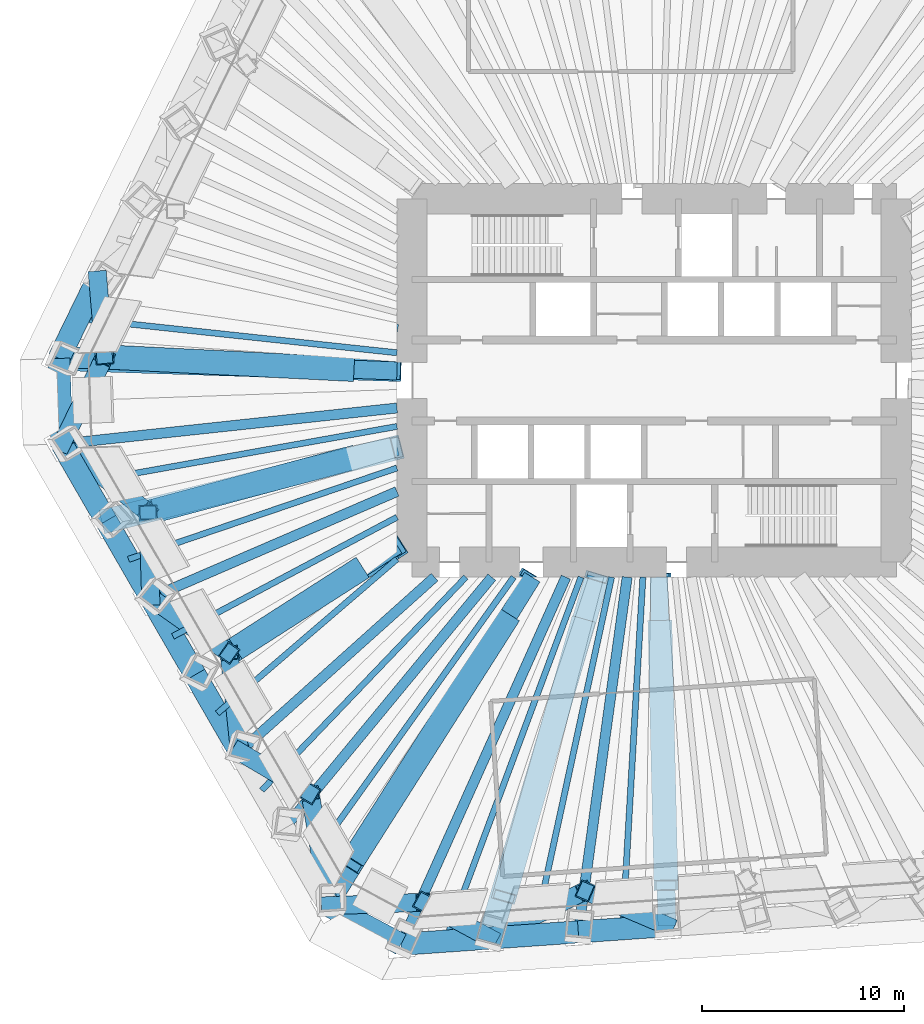
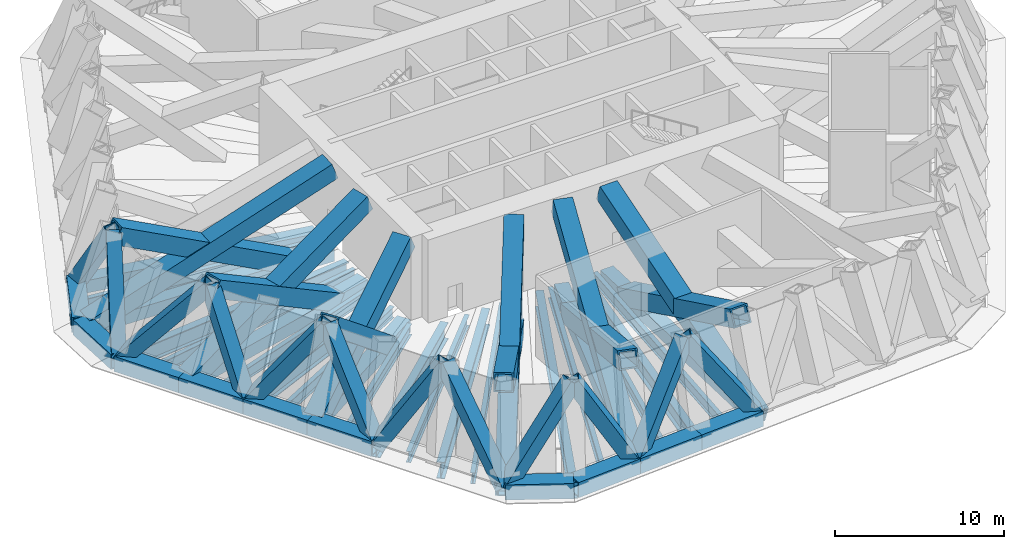
# One storey, part 2 of 12: 34 members, 23 beams.
"""IFC4 building model written with IfcOpenShell, lengths in metres."""

from ifc_helpers import new_model, si_unit, direction, frame, origin, origin_2d, place, context, subcontext, project, spatial, hollow_rectangle, i_section, extrude, material, material_profile, profile_set, type_object, element, save


model = new_model("IFC4")

# Units and contexts
model_context = context("Model", 3, precision=1e-05, world=origin(), true_north=direction((0.0, 1.0)))
body_context = subcontext(model_context, "Body", "Model", "MODEL_VIEW")
ifc_project = project(units=[si_unit("LENGTHUNIT", "METRE"), si_unit("AREAUNIT", "SQUARE_METRE"), si_unit("VOLUMEUNIT", "CUBIC_METRE"), si_unit("PLANEANGLEUNIT", "RADIAN"), si_unit("MASSUNIT", "GRAM", prefix="KILO")], contexts=[model_context])

# Site, building, storey
site_placement = place(None, origin())
site = spatial("IfcSite", under=ifc_project, at=site_placement, CompositionType="ELEMENT")
building_placement = place(site_placement, origin())
building = spatial("IfcBuilding", under=site, at=building_placement, Name="Qingtian Harvest Tower", CompositionType="ELEMENT")
storey_placement = place(building_placement, frame((0.0, 0.0, 97.0)))
storey = spatial("IfcBuildingStorey", under=building, at=storey_placement, Name="L19", CompositionType="ELEMENT", Elevation=97.0)

# Members
ifc_material_1 = material(Name="Steel SM570MC", Category="steel")
ifc_material_profile_1 = material_profile(ifc_material_1, hollow_rectangle(XDim=1.10009765625, YDim=1.10009765625, WallThickness=0.080078125, at=origin_2d()), Name="BOX1100x1100x80")
ifc_profile_set_1 = profile_set([ifc_material_profile_1], Name="Steel SM570MC")
member_type_1 = type_object("IfcMemberType", Name="Belt truss chord BC1 BOX1100x1100x80", PredefinedType="CHORD", material=ifc_profile_set_1)
member_1_placement = place(storey_placement, frame((0.62890625, -27.02197265625, -0.550048828125), z_axis=(-0.997566143208, -0.069726536735, 0.0), x_axis=(0.069726536735, -0.997566143208, 0.0)))
element("IfcMember", 1, at=member_1_placement, inside=storey, type_object=member_type_1, Name="Belt chord BC1 S3", PredefinedType="CHORD", context=body_context, shape_type="SweptSolid", body=[
    extrude(hollow_rectangle(XDim=1.10009765625, YDim=1.10009765625, WallThickness=0.080078125, at=origin_2d()), origin(), (0.0, 0.0, 1.0), 4.40478515625),
])
for number, where, z_axis, x_axis, name in (
    (2, (-3.76513671875, -27.3291015625, -0.550048828125), (-0.997562016486, -0.069785551967, 0.0), (0.069785551967, -0.997562016486, 0.0), "Belt chord BC1 S4"),
    (3, (-8.158935546875, -27.636474609375, -0.550048828125), (-0.997565873714, -0.069730392239, 0.0), (0.069730392239, -0.997565873714, 0.0), "Belt chord BC1 S5"),
):
    element("IfcMember", number, at=place(storey_placement, frame(where, z_axis=z_axis, x_axis=x_axis)), inside=storey, type_object=member_type_1, Name=name, PredefinedType="CHORD", context=body_context, shape_type="SweptSolid", body=[
        extrude(hollow_rectangle(XDim=1.10009765625, YDim=1.10009765625, WallThickness=0.080078125, at=origin_2d()), origin(), (0.0, 0.0, 1.0), 4.404541015625),
    ])
member_2_placement = place(storey_placement, frame((-12.552734375, -27.943603515625, -0.550048828125), z_axis=(-0.882968133669, 0.469432929101, 0.0), x_axis=(-0.469432929101, -0.882968133669, 0.0)))
element("IfcMember", 4, at=member_2_placement, inside=storey, type_object=member_type_1, Name="Belt chord BC1 SC", PredefinedType="CHORD", context=body_context, shape_type="SweptSolid", body=[
    extrude(hollow_rectangle(XDim=1.10009765625, YDim=1.10009765625, WallThickness=0.080078125, at=origin_2d()), origin(), (0.0, 0.0, 1.0), 4.070556640625),
])
for number, where, z_axis, x_axis, name in (
    (5, (-20.551513671875, -18.403564453125, -0.550048828125), (-0.50001992892, 0.866013897511, 0.0), (-0.866013897511, -0.50001992892, 0.0), "Belt chord BC1 SW2"),
    (6, (-22.75390625, -14.589111328125, -0.550048828125), (-0.499978356969, 0.866037899034, 0.0), (-0.866037899034, -0.499978356969, 0.0), "Belt chord BC1 SW3"),
    (7, (-24.9560546875, -10.774658203125, -0.550048828125), (-0.50001992892, 0.866013897511, 0.0), (-0.866013897511, -0.50001992892, 0.0), "Belt chord BC1 SW4"),
    (8, (-27.158447265625, -6.960205078125, -0.550048828125), (-0.50001992892, 0.866013897511, 0.0), (-0.866013897511, -0.50001992892, 0.0), "Belt chord BC1 SW5"),
):
    element("IfcMember", number, at=place(storey_placement, frame(where, z_axis=z_axis, x_axis=x_axis)), inside=storey, type_object=member_type_1, Name=name, PredefinedType="CHORD", context=body_context, shape_type="SweptSolid", body=[
        extrude(hollow_rectangle(XDim=1.10009765625, YDim=1.10009765625, WallThickness=0.080078125, at=origin_2d()), origin(), (0.0, 0.0, 1.0), 4.404541015625),
    ])
member_3_placement = place(storey_placement, frame((-29.36083984375, -3.145751953125, -0.550048828125), z_axis=(-0.034908677553, 0.999390506375, 0.0), x_axis=(-0.999390506375, -0.034908677553, 0.0)))
element("IfcMember", 9, at=member_3_placement, inside=storey, type_object=member_type_1, Name="Belt chord BC1 SWC", PredefinedType="CHORD", context=body_context, shape_type="SweptSolid", body=[
    extrude(hollow_rectangle(XDim=1.10009765625, YDim=1.10009765625, WallThickness=0.080078125, at=origin_2d()), origin(), (0.0, 0.0, 1.0), 4.23828125),
])
member_4_placement = place(storey_placement, frame((-29.5087890625, 1.08984375, -0.550048828125), z_axis=(0.438367938366, 0.898795611145, 0.0), x_axis=(-0.898795611145, 0.438367938366, 0.0)))
element("IfcMember", 10, at=member_4_placement, inside=storey, type_object=member_type_1, Name="Belt chord BC1 NW0", PredefinedType="CHORD", context=body_context, shape_type="SweptSolid", body=[
    extrude(hollow_rectangle(XDim=1.10009765625, YDim=1.10009765625, WallThickness=0.080078125, at=origin_2d()), origin(), (0.0, 0.0, 1.0), 4.40478515625),
])
ifc_material_2 = material(Name="Steel SM570MC", Category="steel")
ifc_material_profile_2 = material_profile(ifc_material_2, hollow_rectangle(XDim=0.89990234375, YDim=0.89990234375, WallThickness=0.06005859375, at=origin_2d()), Name="BOX900x900x60")
ifc_profile_set_2 = profile_set([ifc_material_profile_2], Name="Steel SM570MC")
member_type_2 = type_object("IfcMemberType", Name="Belt truss diagonal BD1 BOX900x900x60", PredefinedType="BRACE", material=ifc_profile_set_2)
member_5_placement = place(storey_placement, frame((0.62890625, -27.02197265625, -0.550048828125), z_axis=(-0.544857222161, 0.231219130574, 0.806020050071), x_axis=(-0.390646608889, -0.920540725315, 0.0)))
element("IfcMember", 11, at=member_5_placement, inside=storey, type_object=member_type_2, Name="Belt truss diagonal BD1 L19 S3", PredefinedType="BRACE", context=body_context, shape_type="SweptSolid", body=[
    extrude(hollow_rectangle(XDim=0.89990234375, YDim=0.89990234375, WallThickness=0.06005859375, at=origin_2d()), origin(), (0.0, 0.0, 1.0), 7.444091796875),
])
member_6_placement = place(storey_placement, frame((-3.427001953125, -25.30078125, 5.449951171875), z_axis=(-0.592201568254, -0.292312062919, -0.750900100166), x_axis=(0.442618210133, -0.896710165025, 0.0)))
element("IfcMember", 12, at=member_6_placement, inside=storey, type_object=member_type_2, Name="Belt truss diagonal BD1 L19 S4", PredefinedType="BRACE", context=body_context, shape_type="SweptSolid", body=[
    extrude(hollow_rectangle(XDim=0.89990234375, YDim=0.89990234375, WallThickness=0.06005859375, at=origin_2d()), origin(), (0.0, 0.0, 1.0), 7.990478515625),
])
member_7_placement = place(storey_placement, frame((-8.158935546875, -27.636474609375, -0.550048828125), z_axis=(-0.465016913661, 0.251161638629, 0.848927029426), x_axis=(-0.475225829761, -0.879863859201, 0.0)))
element("IfcMember", 13, at=member_7_placement, inside=storey, type_object=member_type_2, Name="Belt truss diagonal BD1 L19 S5", PredefinedType="BRACE", context=body_context, shape_type="SweptSolid", body=[
    extrude(hollow_rectangle(XDim=0.89990234375, YDim=0.89990234375, WallThickness=0.06005859375, at=origin_2d()), origin(), (0.0, 0.0, 1.0), 7.067626953125),
])
member_8_placement = place(storey_placement, frame((-11.445556640625, -25.861328125, 5.449951171875), z_axis=(-0.616621250516, -0.02247848148, -0.786938975577), x_axis=(0.036430078178, -0.99933620439, 0.0)))
element("IfcMember", 14, at=member_8_placement, inside=storey, type_object=member_type_2, Name="Belt truss diagonal BD1 L19 S6", PredefinedType="BRACE", context=body_context, shape_type="SweptSolid", body=[
    extrude(hollow_rectangle(XDim=0.89990234375, YDim=0.89990234375, WallThickness=0.06005859375, at=origin_2d()), origin(), (0.0, 0.0, 1.0), 7.62451171875),
])
member_9_placement = place(storey_placement, frame((-16.14697265625, -26.03271484375, -0.550048828125), z_axis=(-0.109618009041, 0.675799771106, 0.728888579597), x_axis=(-0.987098816959, -0.160112228012, 0.0)))
element("IfcMember", 15, at=member_9_placement, inside=storey, type_object=member_type_2, Name="Belt truss diagonal BD1 L19 SW0", PredefinedType="BRACE", context=body_context, shape_type="SweptSolid", body=[
    extrude(hollow_rectangle(XDim=0.89990234375, YDim=0.89990234375, WallThickness=0.06005859375, at=origin_2d()), origin(), (0.0, 0.0, 1.0), 8.231689453125),
])
member_10_placement = place(storey_placement, frame((-17.04931640625, -20.4697265625, 5.449951171875), z_axis=(-0.483190813283, 0.285064053874, -0.827807419118), x_axis=(-0.508124366275, -0.861283709585, 0.0)))
element("IfcMember", 16, at=member_10_placement, inside=storey, type_object=member_type_2, Name="Belt truss diagonal BD1 L19 SW1", PredefinedType="BRACE", context=body_context, shape_type="SweptSolid", body=[
    extrude(hollow_rectangle(XDim=0.89990234375, YDim=0.89990234375, WallThickness=0.06005859375, at=origin_2d()), origin(), (0.0, 0.0, 1.0), 7.248046875),
])
member_11_placement = place(storey_placement, frame((-20.551513671875, -18.403564453125, -0.550048828125), z_axis=(-0.066597885868, 0.63074521098, 0.773126898008), x_axis=(-0.994471973445, -0.105002352508, 0.0)))
element("IfcMember", 17, at=member_11_placement, inside=storey, type_object=member_type_2, Name="Belt truss diagonal BD1 L19 SW2", PredefinedType="BRACE", context=body_context, shape_type="SweptSolid", body=[
    extrude(hollow_rectangle(XDim=0.89990234375, YDim=0.89990234375, WallThickness=0.06005859375, at=origin_2d()), origin(), (0.0, 0.0, 1.0), 7.7607421875),
])
member_12_placement = place(storey_placement, frame((-21.068359375, -13.508544921875, 5.449951171875), z_axis=(-0.507909961046, 0.357170041685, -0.783873097378), x_axis=(-0.57522616421, -0.817994413189, 0.0)))
element("IfcMember", 18, at=member_12_placement, inside=storey, type_object=member_type_2, Name="Belt truss diagonal BD1 L19 SW3", PredefinedType="BRACE", context=body_context, shape_type="SweptSolid", body=[
    extrude(hollow_rectangle(XDim=0.89990234375, YDim=0.89990234375, WallThickness=0.06005859375, at=origin_2d()), origin(), (0.0, 0.0, 1.0), 7.654296875),
])
member_13_placement = place(storey_placement, frame((-24.9560546875, -10.774658203125, -0.550048828125), z_axis=(-0.017892494833, 0.575885577185, 0.817334485152), x_axis=(-0.999517691277, -0.031054545964, 0.0)))
element("IfcMember", 19, at=member_13_placement, inside=storey, type_object=member_type_2, Name="Belt truss diagonal BD1 L19 SW4", PredefinedType="BRACE", context=body_context, shape_type="SweptSolid", body=[
    extrude(hollow_rectangle(XDim=0.89990234375, YDim=0.89990234375, WallThickness=0.06005859375, at=origin_2d()), origin(), (0.0, 0.0, 1.0), 7.3408203125),
])
member_14_placement = place(storey_placement, frame((-25.08740234375, -6.547119140625, 5.449951171875), z_axis=(-0.526696292028, 0.419214621831, -0.739493148587), x_axis=(-0.62275250888, -0.78241888569, 0.0)))
element("IfcMember", 20, at=member_14_placement, inside=storey, type_object=member_type_2, Name="Belt truss diagonal BD1 L19 SW5", PredefinedType="BRACE", context=body_context, shape_type="SweptSolid", body=[
    extrude(hollow_rectangle(XDim=0.89990234375, YDim=0.89990234375, WallThickness=0.06005859375, at=origin_2d()), origin(), (0.0, 0.0, 1.0), 8.11376953125),
])
member_15_placement = place(storey_placement, frame((-29.36083984375, -3.145751953125, -0.550048828125), z_axis=(0.275256396047, 0.561279137804, 0.780512425206), x_axis=(-0.897845118846, 0.440311415438, 0.0)))
element("IfcMember", 21, at=member_15_placement, inside=storey, type_object=member_type_2, Name="Belt truss diagonal BD1 L19 SW6", PredefinedType="BRACE", context=body_context, shape_type="SweptSolid", body=[
    extrude(hollow_rectangle(XDim=0.89990234375, YDim=0.89990234375, WallThickness=0.06005859375, at=origin_2d()), origin(), (0.0, 0.0, 1.0), 7.687255859375),
])
member_16_placement = place(storey_placement, frame((-27.244873046875, 1.1689453125, 5.449951171875), z_axis=(-0.046555451614, 0.542418795489, -0.838817286556), x_axis=(-0.996336887847, -0.085514945572, 0.0)))
element("IfcMember", 22, at=member_16_placement, inside=storey, type_object=member_type_2, Name="Belt truss diagonal BD1 L19 NW0", PredefinedType="BRACE", context=body_context, shape_type="SweptSolid", body=[
    extrude(hollow_rectangle(XDim=0.89990234375, YDim=0.89990234375, WallThickness=0.06005859375, at=origin_2d()), origin(), (0.0, 0.0, 1.0), 7.15283203125),
])

# Beams
ifc_material_3 = material(Name="Steel SN490B", Category="steel")
ifc_material_profile_3 = material_profile(ifc_material_3, i_section(OverallWidth=0.300048828125, OverallDepth=0.800048828125, WebThickness=0.013916015625, FlangeThickness=0.02587890625, at=origin_2d()), Name="H800x300x14x26")
ifc_profile_set_3 = profile_set([ifc_material_profile_3], Name="Steel SN490B")
beam_type_1 = type_object("IfcBeamType", Name="Floor joist J1 H800x300x14x26", PredefinedType="JOIST", material=ifc_profile_set_3)
beam_1_placement = place(storey_placement, frame((-1.568115234375, -27.175537109375, -0.679931640625), z_axis=(0.057613424947, 0.998338967118, 0.0), x_axis=(-0.998338967118, 0.057613424947, 0.0)))
element("IfcBeam", 23, at=beam_1_placement, inside=storey, type_object=beam_type_1, Name="Floor joist J1 S3", PredefinedType="JOIST", context=body_context, shape_type="SweptSolid", body=[
    extrude(i_section(OverallWidth=0.300048828125, OverallDepth=0.800048828125, WebThickness=0.013916015625, FlangeThickness=0.02587890625, at=origin_2d()), origin(), (0.0, 0.0, 1.0), 17.45458984375),
])
beam_2_placement = place(storey_placement, frame((-5.9619140625, -27.48291015625, -0.679931640625), z_axis=(0.211992805661, 0.977271226604, 0.0), x_axis=(-0.977271226604, 0.211992805661, 0.0)))
element("IfcBeam", 24, at=beam_2_placement, inside=storey, type_object=beam_type_1, Name="Floor joist J1 S4", PredefinedType="JOIST", context=body_context, shape_type="SweptSolid", body=[
    extrude(i_section(OverallWidth=0.300048828125, OverallDepth=0.800048828125, WebThickness=0.013916015625, FlangeThickness=0.02587890625, at=origin_2d()), origin(), (0.0, 0.0, 1.0), 18.145263671875),
])
beam_3_placement = place(storey_placement, frame((-10.35595703125, -27.7900390625, -0.679931640625), z_axis=(0.349193741063, 0.937050548905, 0.0), x_axis=(-0.937050548905, 0.349193741063, 0.0)))
element("IfcBeam", 25, at=beam_3_placement, inside=storey, type_object=beam_type_1, Name="Floor joist J1 S5", PredefinedType="JOIST", context=body_context, shape_type="SweptSolid", body=[
    extrude(i_section(OverallWidth=0.300048828125, OverallDepth=0.800048828125, WebThickness=0.013916015625, FlangeThickness=0.02587890625, at=origin_2d()), origin(), (0.0, 0.0, 1.0), 19.251953125),
])
beam_4_placement = place(storey_placement, frame((-17.248046875, -24.12548828125, -0.679931640625), z_axis=(0.581580544546, 0.81348882611, 0.0), x_axis=(-0.81348882611, 0.581580544546, 0.0)))
element("IfcBeam", 26, at=beam_4_placement, inside=storey, type_object=beam_type_1, Name="Floor joist J1 SW0", PredefinedType="JOIST", context=body_context, shape_type="SweptSolid", body=[
    extrude(i_section(OverallWidth=0.300048828125, OverallDepth=0.800048828125, WebThickness=0.013916015625, FlangeThickness=0.02587890625, at=origin_2d()), origin(), (0.0, 0.0, 1.0), 17.67138671875),
])
beam_5_placement = place(storey_placement, frame((-19.450439453125, -20.31103515625, -0.679931640625), z_axis=(0.691639144398, 0.722243237377, 0.0), x_axis=(-0.722243237377, 0.691639144398, 0.0)))
element("IfcBeam", 27, at=beam_5_placement, inside=storey, type_object=beam_type_1, Name="Floor joist J1 SW1", PredefinedType="JOIST", context=body_context, shape_type="SweptSolid", body=[
    extrude(i_section(OverallWidth=0.300048828125, OverallDepth=0.800048828125, WebThickness=0.013916015625, FlangeThickness=0.02587890625, at=origin_2d()), origin(), (0.0, 0.0, 1.0), 14.62255859375),
])
beam_6_placement = place(storey_placement, frame((-21.652587890625, -16.496337890625, -0.679931640625), z_axis=(0.758605680154, 0.651550014994, 0.0), x_axis=(-0.651550014994, 0.758605680154, 0.0)))
element("IfcBeam", 28, at=beam_6_placement, inside=storey, type_object=beam_type_1, Name="Floor joist J1 SW2", PredefinedType="JOIST", context=body_context, shape_type="SweptSolid", body=[
    extrude(i_section(OverallWidth=0.300048828125, OverallDepth=0.800048828125, WebThickness=0.013916015625, FlangeThickness=0.02587890625, at=origin_2d()), origin(), (0.0, 0.0, 1.0), 11.7353515625),
])
beam_7_placement = place(storey_placement, frame((-23.85498046875, -12.681884765625, -0.679931640625), z_axis=(0.882982474604, 0.469405953885, 0.0), x_axis=(-0.469405953885, 0.882982474604, 0.0)))
element("IfcBeam", 29, at=beam_7_placement, inside=storey, type_object=beam_type_1, Name="Floor joist J1 SW3", PredefinedType="JOIST", context=body_context, shape_type="SweptSolid", body=[
    extrude(i_section(OverallWidth=0.300048828125, OverallDepth=0.800048828125, WebThickness=0.013916015625, FlangeThickness=0.02587890625, at=origin_2d()), origin(), (0.0, 0.0, 1.0), 12.57666015625),
])
beam_8_placement = place(storey_placement, frame((-26.057373046875, -8.867431640625, -0.679931640625), z_axis=(0.946684735425, 0.322161468387, 0.0), x_axis=(-0.322161468387, 0.946684735425, 0.0)))
element("IfcBeam", 30, at=beam_8_placement, inside=storey, type_object=beam_type_1, Name="Floor joist J1 SW4", PredefinedType="JOIST", context=body_context, shape_type="SweptSolid", body=[
    extrude(i_section(OverallWidth=0.300048828125, OverallDepth=0.800048828125, WebThickness=0.013916015625, FlangeThickness=0.02587890625, at=origin_2d()), origin(), (0.0, 0.0, 1.0), 14.056884765625),
])
beam_9_placement = place(storey_placement, frame((-28.259521484375, -5.052978515625, -0.679931640625), z_axis=(0.984387614034, 0.176014275943, 0.0), x_axis=(-0.176014275943, 0.984387614034, 0.0)))
element("IfcBeam", 31, at=beam_9_placement, inside=storey, type_object=beam_type_1, Name="Floor joist J1 SW5", PredefinedType="JOIST", context=body_context, shape_type="SweptSolid", body=[
    extrude(i_section(OverallWidth=0.300048828125, OverallDepth=0.800048828125, WebThickness=0.013916015625, FlangeThickness=0.02587890625, at=origin_2d()), origin(), (0.0, 0.0, 1.0), 15.755615234375),
])
beam_10_placement = place(storey_placement, frame((-28.543212890625, 3.0693359375, -0.679931640625), z_axis=(0.994268320665, -0.106913546948, 0.0), x_axis=(0.106913546948, 0.994268320665, 0.0)))
element("IfcBeam", 32, at=beam_10_placement, inside=storey, type_object=beam_type_1, Name="Floor joist J1 NW0", PredefinedType="JOIST", context=body_context, shape_type="SweptSolid", body=[
    extrude(i_section(OverallWidth=0.300048828125, OverallDepth=0.800048828125, WebThickness=0.013916015625, FlangeThickness=0.02587890625, at=origin_2d()), origin(), (0.0, 0.0, 1.0), 15.88427734375),
])
ifc_material_4 = material(Name="Steel SM570MC", Category="steel")
ifc_material_profile_4 = material_profile(ifc_material_4, hollow_rectangle(XDim=0.89990234375, YDim=0.89990234375, WallThickness=0.06005859375, at=origin_2d()), Name="BOX900x900x60")
ifc_profile_set_4 = profile_set([ifc_material_profile_4], Name="Steel SM570MC")
beam_type_2 = type_object("IfcBeamType", Name="Outrigger chord beam OC1 BOX900x900x60", PredefinedType="BEAM", material=ifc_profile_set_4)
beam_11_placement = place(storey_placement, frame((0.62890625, -27.02197265625, -0.72998046875), z_axis=(-0.023274161941, 0.999729120005, 0.0), x_axis=(-0.999729120005, -0.023274161941, 0.0)))
element("IfcBeam", 33, at=beam_11_placement, inside=storey, type_object=beam_type_2, Name="Floor beam OC1 S3", PredefinedType="BEAM", context=body_context, shape_type="SweptSolid", body=[
    extrude(hollow_rectangle(XDim=0.89990234375, YDim=0.89990234375, WallThickness=0.06005859375, at=origin_2d()), origin(), (0.0, 0.0, 1.0), 17.276611328125),
])
beam_12_placement = place(storey_placement, frame((-8.158935546875, -27.636474609375, -0.72998046875), z_axis=(0.283142824758, 0.95907775534, 0.0), x_axis=(-0.95907775534, 0.283142824758, 0.0)))
element("IfcBeam", 34, at=beam_12_placement, inside=storey, type_object=beam_type_2, Name="Floor beam OC1 S5", PredefinedType="BEAM", context=body_context, shape_type="SweptSolid", body=[
    extrude(hollow_rectangle(XDim=0.89990234375, YDim=0.89990234375, WallThickness=0.06005859375, at=origin_2d()), origin(), (0.0, 0.0, 1.0), 18.649658203125),
])
beam_13_placement = place(storey_placement, frame((-16.14697265625, -26.03271484375, -0.72998046875), z_axis=(0.5270935495, 0.849807266429, 0.0), x_axis=(-0.849807266429, 0.5270935495, 0.0)))
element("IfcBeam", 35, at=beam_13_placement, inside=storey, type_object=beam_type_2, Name="Floor beam OC1 SW0", PredefinedType="BEAM", context=body_context, shape_type="SweptSolid", body=[
    extrude(hollow_rectangle(XDim=0.89990234375, YDim=0.89990234375, WallThickness=0.06005859375, at=origin_2d()), origin(), (0.0, 0.0, 1.0), 19.160400390625),
])
beam_14_placement = place(storey_placement, frame((-22.75390625, -14.589111328125, -0.72998046875), z_axis=(0.841829353865, 0.539743771591, 0.0), x_axis=(-0.539743771591, 0.841829353865, 0.0)))
element("IfcBeam", 36, at=beam_14_placement, inside=storey, type_object=beam_type_2, Name="Floor beam OC1 SW3", PredefinedType="BEAM", context=body_context, shape_type="SweptSolid", body=[
    extrude(hollow_rectangle(XDim=0.89990234375, YDim=0.89990234375, WallThickness=0.06005859375, at=origin_2d()), origin(), (0.0, 0.0, 1.0), 11.883544921875),
])
beam_15_placement = place(storey_placement, frame((-27.158447265625, -6.960205078125, -0.72998046875), z_axis=(0.968693729942, 0.248258851947, 0.0), x_axis=(-0.248258851947, 0.968693729942, 0.0)))
element("IfcBeam", 37, at=beam_15_placement, inside=storey, type_object=beam_type_2, Name="Floor beam OC1 SW5", PredefinedType="BEAM", context=body_context, shape_type="SweptSolid", body=[
    extrude(hollow_rectangle(XDim=0.89990234375, YDim=0.89990234375, WallThickness=0.06005859375, at=origin_2d()), origin(), (0.0, 0.0, 1.0), 14.8740234375),
])
beam_16_placement = place(storey_placement, frame((-29.5087890625, 1.08984375, -0.72998046875), z_axis=(0.999318796571, -0.036904509488, 0.0), x_axis=(0.036904509488, 0.999318796571, 0.0)))
element("IfcBeam", 38, at=beam_16_placement, inside=storey, type_object=beam_type_2, Name="Floor beam OC1 NW0", PredefinedType="BEAM", context=body_context, shape_type="SweptSolid", body=[
    extrude(hollow_rectangle(XDim=0.89990234375, YDim=0.89990234375, WallThickness=0.06005859375, at=origin_2d()), origin(), (0.0, 0.0, 1.0), 16.770263671875),
])
beam_17_placement = place(storey_placement, frame((-27.577880859375, 5.048828125, -0.72998046875), z_axis=(0.98365177106, -0.180081074215, 0.0), x_axis=(0.180081074215, 0.98365177106, 0.0)))
element("IfcBeam", 39, at=beam_17_placement, inside=storey, type_object=beam_type_2, Name="Floor beam OC1 NW1", PredefinedType="BEAM", context=body_context, shape_type="SweptSolid", body=[
    extrude(hollow_rectangle(XDim=0.89990234375, YDim=0.89990234375, WallThickness=0.06005859375, at=origin_2d()), origin(), (0.0, 0.0, 1.0), 15.07421875),
])

# Members
ifc_material_5 = material(Name="Steel SM570MC", Category="steel")
ifc_material_profile_5 = material_profile(ifc_material_5, hollow_rectangle(XDim=1.199951171875, YDim=1.199951171875, WallThickness=0.10009765625, at=origin_2d()), Name="BOX1200x1200x100")
ifc_profile_set_5 = profile_set([ifc_material_profile_5], Name="Steel SM570MC")
member_type_3 = type_object("IfcMemberType", Name="Outrigger diagonal OT1 BOX1200x1200x100", PredefinedType="BRACE", material=ifc_profile_set_5)
member_17_placement = place(storey_placement, frame((-8.158935546875, -27.636474609375, -0.72998046875), z_axis=(0.271157854191, 0.910859141291, 0.311141515771), x_axis=(-0.958432276737, 0.285320120056, 0.0)))
element("IfcMember", 40, at=member_17_placement, inside=storey, type_object=member_type_3, Name="Outrigger diagonal OT1 L19 S5-1", PredefinedType="BRACE", context=body_context, shape_type="SweptSolid", body=[
    extrude(hollow_rectangle(XDim=1.199951171875, YDim=1.199951171875, WallThickness=0.10009765625, at=origin_2d()), origin(), (0.0, 0.0, 1.0), 19.636962890625),
])
member_18_placement = place(storey_placement, frame((-3.557861328125, -12.0517578125, -0.72998046875), z_axis=(-0.252777300205, -0.881776839241, 0.398212559168), x_axis=(0.961281375608, -0.275568715405, 0.0)))
element("IfcMember", 41, at=member_18_placement, inside=storey, type_object=member_type_3, Name="Outrigger diagonal OT1 L19 S5-2", PredefinedType="BRACE", context=body_context, shape_type="SweptSolid", body=[
    extrude(hollow_rectangle(XDim=1.199951171875, YDim=1.199951171875, WallThickness=0.10009765625, at=origin_2d()), origin(), (0.0, 0.0, 1.0), 15.34326171875),
])
member_19_placement = place(storey_placement, frame((-27.158447265625, -6.960205078125, -0.72998046875), z_axis=(0.896802908471, 0.226111582731, 0.380286859505), x_axis=(-0.244479686889, 0.969654414056, 0.0)))
element("IfcMember", 42, at=member_19_placement, inside=storey, type_object=member_type_3, Name="Outrigger diagonal OT1 L19 SW5-1", PredefinedType="BRACE", context=body_context, shape_type="SweptSolid", body=[
    extrude(hollow_rectangle(XDim=1.199951171875, YDim=1.199951171875, WallThickness=0.10009765625, at=origin_2d()), origin(), (0.0, 0.0, 1.0), 16.06640625),
])
member_20_placement = place(storey_placement, frame((-15.074951171875, -3.86328125, -0.72998046875), z_axis=(-0.832112862139, -0.223047882117, 0.50777733993), x_axis=(0.258909923434, -0.965901470931, 0.0)))
element("IfcMember", 43, at=member_20_placement, inside=storey, type_object=member_type_3, Name="Outrigger diagonal OT1 L19 SW5-2", PredefinedType="BRACE", context=body_context, shape_type="SweptSolid", body=[
    extrude(hollow_rectangle(XDim=1.199951171875, YDim=1.199951171875, WallThickness=0.10009765625, at=origin_2d()), origin(), (0.0, 0.0, 1.0), 12.032470703125),
])
member_21_placement = place(storey_placement, frame((0.62890625, -27.02197265625, -0.72998046875), z_axis=(-0.021942433968, 0.942525460527, 0.333413085901), x_axis=(-0.999729120005, -0.023274161941, 0.0)))
element("IfcMember", 44, at=member_21_placement, inside=storey, type_object=member_type_3, Name="Outrigger diagonal OT1 L19 S3-1", PredefinedType="BRACE", context=body_context, shape_type="SweptSolid", body=[
    extrude(hollow_rectangle(XDim=1.199951171875, YDim=1.199951171875, WallThickness=0.10009765625, at=origin_2d()), origin(), (0.0, 0.0, 1.0), 18.3251953125),
])
member_22_placement = place(storey_placement, frame((0.28271484375, -12.1494140625, -0.72998046875), z_axis=(0.021020942082, -0.903180966287, 0.428744984964), x_axis=(0.999729262506, 0.023268040082, 0.0)))
element("IfcMember", 45, at=member_22_placement, inside=storey, type_object=member_type_3, Name="Outrigger diagonal OT1 L19 S3-2", PredefinedType="BRACE", context=body_context, shape_type="SweptSolid", body=[
    extrude(hollow_rectangle(XDim=1.199951171875, YDim=1.199951171875, WallThickness=0.10009765625, at=origin_2d()), origin(), (0.0, 0.0, 1.0), 14.25048828125),
])
member_23_placement = place(storey_placement, frame((-22.75390625, -14.589111328125, -0.72998046875), z_axis=(0.748671300148, 0.480014945273, 0.457249315636), x_axis=(-0.539743771591, 0.841829353865, 0.0)))
element("IfcMember", 46, at=member_23_placement, inside=storey, type_object=member_type_3, Name="Outrigger diagonal OT1 L19 SW3-1", PredefinedType="BRACE", context=body_context, shape_type="SweptSolid", body=[
    extrude(hollow_rectangle(XDim=1.199951171875, YDim=1.199951171875, WallThickness=0.10009765625, at=origin_2d()), origin(), (0.0, 0.0, 1.0), 13.3623046875),
])
member_24_placement = place(storey_placement, frame((-14.770263671875, -9.470458984375, -0.72998046875), z_axis=(-0.652022280686, -0.418050491241, 0.632535162866), x_axis=(0.539746173596, -0.841827813801, 0.0)))
element("IfcMember", 47, at=member_24_placement, inside=storey, type_object=member_type_3, Name="Outrigger diagonal OT1 L19 SW3-2", PredefinedType="BRACE", context=body_context, shape_type="SweptSolid", body=[
    extrude(hollow_rectangle(XDim=1.199951171875, YDim=1.199951171875, WallThickness=0.10009765625, at=origin_2d()), origin(), (0.0, 0.0, 1.0), 9.659423828125),
])
member_25_placement = place(storey_placement, frame((-16.14697265625, -26.03271484375, -0.72998046875), z_axis=(0.499385023421, 0.811154036825, 0.304374320412), x_axis=(-0.851558348049, 0.524259840029, 0.0)))
element("IfcMember", 48, at=member_25_placement, inside=storey, type_object=member_type_3, Name="Outrigger diagonal OT1 L19 SW0-1", PredefinedType="BRACE", context=body_context, shape_type="SweptSolid", body=[
    extrude(hollow_rectangle(XDim=1.199951171875, YDim=1.199951171875, WallThickness=0.10009765625, at=origin_2d()), origin(), (0.0, 0.0, 1.0), 20.073486328125),
])
member_26_placement = place(storey_placement, frame((-7.3125, -11.78955078125, -0.72998046875), z_axis=(-0.493750584975, -0.777043707566, 0.39040163469), x_axis=(0.84402131833, -0.536309625313, 0.0)))
element("IfcMember", 49, at=member_26_placement, inside=storey, type_object=member_type_3, Name="Outrigger diagonal OT1 L19 SW0-2", PredefinedType="BRACE", context=body_context, shape_type="SweptSolid", body=[
    extrude(hollow_rectangle(XDim=1.199951171875, YDim=1.199951171875, WallThickness=0.10009765625, at=origin_2d()), origin(), (0.0, 0.0, 1.0), 15.650146484375),
])
member_27_placement = place(storey_placement, frame((-29.5087890625, 1.08984375, -0.72998046875), z_axis=(0.939074819474, -0.030411446356, 0.342364757767), x_axis=(0.032367508095, 0.99947603494, 0.0)))
element("IfcMember", 50, at=member_27_placement, inside=storey, type_object=member_type_3, Name="Outrigger diagonal OT1 L19 NW0-1", PredefinedType="BRACE", context=body_context, shape_type="SweptSolid", body=[
    extrude(hollow_rectangle(XDim=1.199951171875, YDim=1.199951171875, WallThickness=0.10009765625, at=origin_2d()), origin(), (0.0, 0.0, 1.0), 17.845947265625),
])
member_28_placement = place(storey_placement, frame((-15.1484375, 0.5595703125, -0.72998046875), z_axis=(-0.891699224154, 0.04492060596, 0.450393864082), x_axis=(-0.050312609494, -0.998733518675, 0.0)))
element("IfcMember", 51, at=member_28_placement, inside=storey, type_object=member_type_3, Name="Outrigger diagonal OT1 L19 NW0-2", PredefinedType="BRACE", context=body_context, shape_type="SweptSolid", body=[
    extrude(hollow_rectangle(XDim=1.199951171875, YDim=1.199951171875, WallThickness=0.10009765625, at=origin_2d()), origin(), (0.0, 0.0, 1.0), 13.565673828125),
])

# Beams
ifc_material_6 = material(Name="Steel SM570MC", Category="steel")
ifc_material_profile_6 = material_profile(ifc_material_6, i_section(OverallWidth=0.5, OverallDepth=1.199951171875, WebThickness=0.02490234375, FlangeThickness=0.050048828125, at=origin_2d()), Name="H1200x500x25x50")
ifc_profile_set_6 = profile_set([ifc_material_profile_6], Name="Steel SM570MC")
beam_type_3 = type_object("IfcBeamType", Name="Plant corner beam FB10 H1200x500x25x50", PredefinedType="BEAM", material=ifc_profile_set_6)
beam_18_placement = place(storey_placement, frame((-12.552734375, -27.943603515625, -0.8798828125), z_axis=(0.409769605538, 0.912189054077, 0.0), x_axis=(-0.912189054077, 0.409769605538, 0.0)))
element("IfcBeam", 52, at=beam_18_placement, inside=storey, type_object=beam_type_3, Name="Floor beam FB10 S6", PredefinedType="BEAM", context=body_context, shape_type="SweptSolid", body=[
    extrude(i_section(OverallWidth=0.5, OverallDepth=1.199951171875, WebThickness=0.02490234375, FlangeThickness=0.050048828125, at=origin_2d()), origin(), (0.0, 0.0, 1.0), 19.945068359375),
])
beam_19_placement = place(storey_placement, frame((-29.36083984375, -3.145751953125, -0.8798828125), z_axis=(0.994308822197, 0.106536219669, 0.0), x_axis=(-0.106536219669, 0.994308822197, 0.0)))
element("IfcBeam", 53, at=beam_19_placement, inside=storey, type_object=beam_type_3, Name="Floor beam FB10 SW6", PredefinedType="BEAM", context=body_context, shape_type="SweptSolid", body=[
    extrude(i_section(OverallWidth=0.5, OverallDepth=1.199951171875, WebThickness=0.02490234375, FlangeThickness=0.050048828125, at=origin_2d()), origin(), (0.0, 0.0, 1.0), 16.705810546875),
])
ifc_material_7 = material(Name="Steel SM570MC", Category="steel")
ifc_material_profile_7 = material_profile(ifc_material_7, i_section(OverallWidth=0.5, OverallDepth=1.199951171875, WebThickness=0.02490234375, FlangeThickness=0.050048828125, at=origin_2d()), Name="H1200x500x25x50")
ifc_profile_set_7 = profile_set([ifc_material_profile_7], Name="Steel SM570MC")
beam_type_4 = type_object("IfcBeamType", Name="Plant floor beam FB7 H1200x500x25x50", PredefinedType="BEAM", material=ifc_profile_set_7)
beam_20_placement = place(storey_placement, frame((-3.76513671875, -27.3291015625, -0.8798828125), z_axis=(0.136480966577, 0.990642693287, 0.0), x_axis=(-0.990642693287, 0.136480966577, 0.0)))
element("IfcBeam", 54, at=beam_20_placement, inside=storey, type_object=beam_type_4, Name="Floor beam FB7 S4", PredefinedType="BEAM", context=body_context, shape_type="SweptSolid", body=[
    extrude(i_section(OverallWidth=0.5, OverallDepth=1.199951171875, WebThickness=0.02490234375, FlangeThickness=0.050048828125, at=origin_2d()), origin(), (0.0, 0.0, 1.0), 17.7451171875),
])
beam_21_placement = place(storey_placement, frame((-18.349365234375, -22.21826171875, -0.8798828125), z_axis=(0.636780387972, 0.771045224026, 0.0), x_axis=(-0.771045224026, 0.636780387972, 0.0)))
element("IfcBeam", 55, at=beam_21_placement, inside=storey, type_object=beam_type_4, Name="Floor beam FB7 SW1", PredefinedType="BEAM", context=body_context, shape_type="SweptSolid", body=[
    extrude(i_section(OverallWidth=0.5, OverallDepth=1.199951171875, WebThickness=0.02490234375, FlangeThickness=0.050048828125, at=origin_2d()), origin(), (0.0, 0.0, 1.0), 16.170654296875),
])
beam_22_placement = place(storey_placement, frame((-20.551513671875, -18.403564453125, -0.8798828125), z_axis=(0.744965104975, 0.667103434536, 0.0), x_axis=(-0.667103434536, 0.744965104975, 0.0)))
element("IfcBeam", 56, at=beam_22_placement, inside=storey, type_object=beam_type_4, Name="Floor beam FB7 SW2", PredefinedType="BEAM", context=body_context, shape_type="SweptSolid", body=[
    extrude(i_section(OverallWidth=0.5, OverallDepth=1.199951171875, WebThickness=0.02490234375, FlangeThickness=0.050048828125, at=origin_2d()), origin(), (0.0, 0.0, 1.0), 12.971923828125),
])
beam_23_placement = place(storey_placement, frame((-24.9560546875, -10.774658203125, -0.8798828125), z_axis=(0.918083617325, 0.396386770213, 0.0), x_axis=(-0.396386770213, 0.918083617325, 0.0)))
element("IfcBeam", 57, at=beam_23_placement, inside=storey, type_object=beam_type_4, Name="Floor beam FB7 SW4", PredefinedType="BEAM", context=body_context, shape_type="SweptSolid", body=[
    extrude(i_section(OverallWidth=0.5, OverallDepth=1.199951171875, WebThickness=0.02490234375, FlangeThickness=0.050048828125, at=origin_2d()), origin(), (0.0, 0.0, 1.0), 13.295166015625),
])

save(model, "model.ifc")
